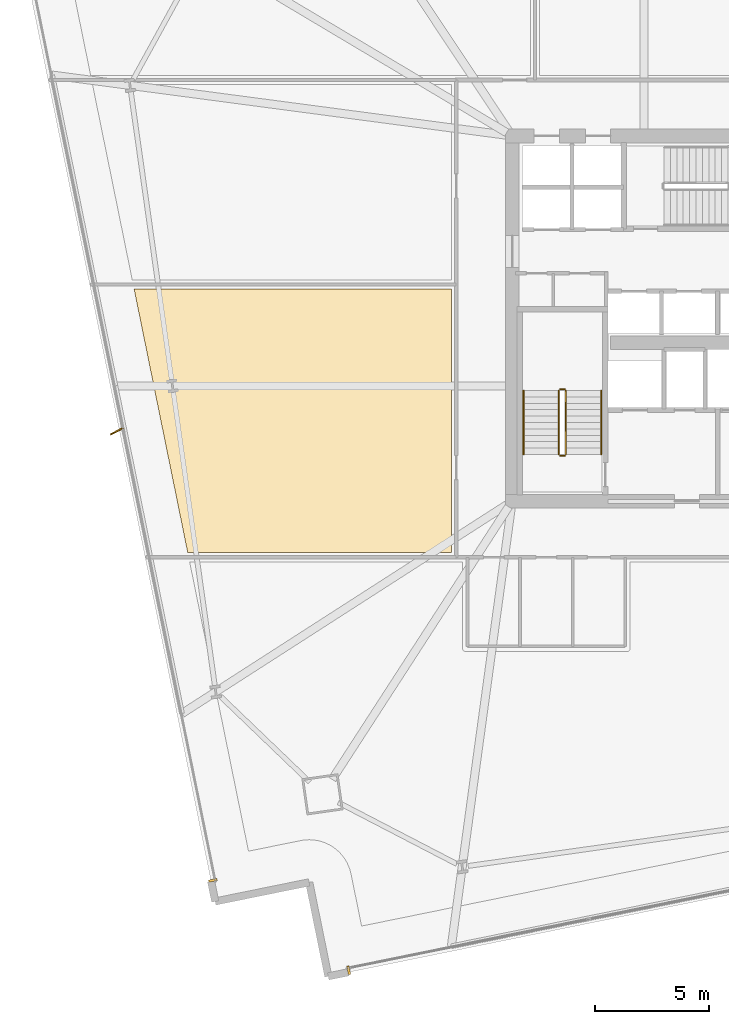
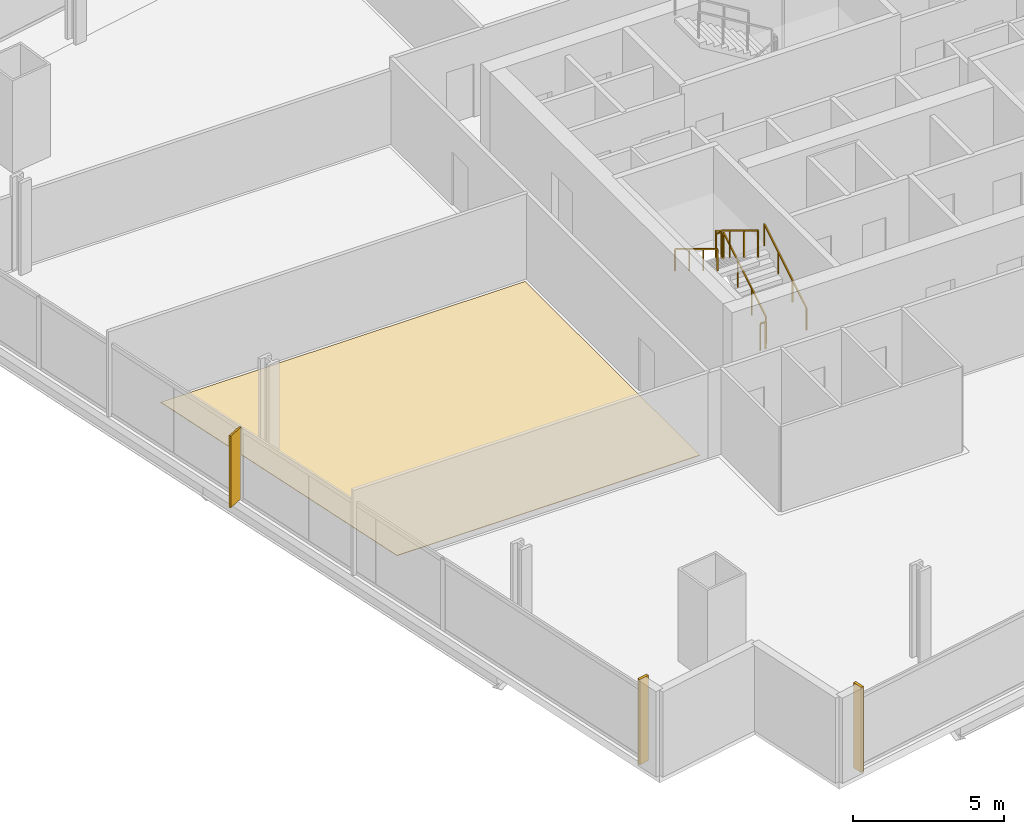
# One storey, part 29 of 33: 6 railings, 3 coverings, 1 shading device.
"""IFC4 building model written with IfcOpenShell, lengths in metres."""

from ifc_helpers import new_model, si_unit, direction, frame, origin, origin_2d, place, context, subcontext, project, spatial, polyline, rectangle, outline, extrude, source, transform, mapped, material, layer, layer_set, type_object, element, save


model = new_model("IFC4")

# Units and contexts
model_context = context("Model", 3, precision=1e-05, world=origin(), true_north=direction((0.0, 1.0)))
body_context = subcontext(model_context, "Body", "Model", "MODEL_VIEW")
ifc_project = project(units=[si_unit("LENGTHUNIT", "METRE"), si_unit("AREAUNIT", "SQUARE_METRE"), si_unit("VOLUMEUNIT", "CUBIC_METRE"), si_unit("PLANEANGLEUNIT", "RADIAN"), si_unit("MASSUNIT", "GRAM", prefix="KILO")], contexts=[model_context])

# Site, building, storey
site_placement = place(None, origin())
site = spatial("IfcSite", under=ifc_project, at=site_placement, CompositionType="ELEMENT")
building_placement = place(site_placement, origin())
building = spatial("IfcBuilding", under=site, at=building_placement, Name="Haldenkirk Collegiate Tower", CompositionType="ELEMENT")
storey_placement = place(building_placement, frame((0.0, 0.0, 66.449951171875)))
storey = spatial("IfcBuildingStorey", under=building, at=storey_placement, Name="L15", CompositionType="ELEMENT", Elevation=66.449951171875)

# Covering
ifc_material_1 = material(Name="Engineered collegiate oak acoustic flooring", Category="wood")
ifc_layer_1 = layer(ifc_material_1, 0.02197265625)
ifc_layer_set_1 = layer_set([ifc_layer_1], Name="Engineered collegiate oak acoustic flooring")
covering_type_1 = type_object("IfcCoveringType", Name="COV-FLOOR-TIMBER", PredefinedType="FLOORING", material=ifc_layer_set_1)
covering_placement = place(storey_placement, origin())
element("IfcCovering", 1, at=covering_placement, inside=storey, type_object=covering_type_1, Name="L15 academic room finish 05", PredefinedType="FLOORING", context=body_context, shape_type="SweptSolid", body=[
    extrude(outline(polyline([(10.447998046875, 27.300048828125), (24.35009765625, 27.300048828125), (24.35009765625, 15.75), (12.797607421875, 15.75), (10.447998046875, 27.300048828125)])), origin(), (0.0, 0.0, 1.0), 0.02197265625),
])

# Railings
ifc_material_2 = material(Name="Painted architectural tubular steel", Category="steel")
railing_type_1 = type_object("IfcRailingType", Name="RLG-STAIR-GUARD-1100", PredefinedType="BALUSTRADE", material=ifc_material_2)
railing_1_placement = place(storey_placement, frame((29.35009765625, 20.050048828125, 0.17041015625)))
element("IfcRailing", 2, at=railing_1_placement, inside=storey, type_object=railing_type_1, Name="L15 ST-1 stair guard 1", PredefinedType="BALUSTRADE", context=body_context, shape_type="SweptSolid", body=[
    extrude(rectangle(XDim=0.048095703125, YDim=0.048095703125, at=origin_2d()), frame((0.0, 0.0, 1.076171875), z_axis=(0.0, 0.854169791009, 0.51999420009), x_axis=(-1.0, 0.0, 0.0)), (0.0, 0.0, 1.0), 3.278076171875),
    extrude(rectangle(XDim=0.0419921875, YDim=0.0419921875, at=origin_2d()), origin(), (0.0, 0.0, 1.0), 1.052001953125),
    extrude(rectangle(XDim=0.0419921875, YDim=0.0419921875, at=origin_2d()), frame((0.0, 0.933349609375, 0.568115234375)), (0.0, 0.0, 1.0), 1.052001953125),
    extrude(rectangle(XDim=0.0419921875, YDim=0.0419921875, at=origin_2d()), frame((0.0, 1.86669921875, 1.136474609375)), (0.0, 0.0, 1.0), 1.052001953125),
    extrude(rectangle(XDim=0.0419921875, YDim=0.0419921875, at=origin_2d()), frame((0.0, 2.800048828125, 1.70458984375)), (0.0, 0.0, 1.0), 1.052001953125),
])
railing_2_placement = place(storey_placement, frame((29.300048828125, 22.89990234375, 1.875)))
element("IfcRailing", 3, at=railing_2_placement, inside=storey, type_object=railing_type_1, Name="L15 ST-1 stair guard 2", PredefinedType="BALUSTRADE", context=body_context, shape_type="SweptSolid", body=[
    extrude(rectangle(XDim=0.048095703125, YDim=0.048095703125, at=origin_2d()), frame((0.0, 0.0, 1.076171875), z_axis=(-1.0, 0.0, 0.0), x_axis=(0.0, -1.0, 0.0)), (0.0, 0.0, 1.0), 0.199951171875),
    extrude(rectangle(XDim=0.0419921875, YDim=0.0419921875, at=origin_2d()), origin(), (0.0, 0.0, 1.0), 1.052001953125),
    extrude(rectangle(XDim=0.0419921875, YDim=0.0419921875, at=origin_2d()), frame((-0.199951171875, 0.0, 0.0)), (0.0, 0.0, 1.0), 1.052001953125),
])
railing_3_placement = place(storey_placement, frame((29.050048828125, 22.85009765625, 2.04541015625)))
element("IfcRailing", 4, at=railing_3_placement, inside=storey, type_object=railing_type_1, Name="L15 ST-1 stair guard 3", PredefinedType="BALUSTRADE", context=body_context, shape_type="SweptSolid", body=[
    extrude(rectangle(XDim=0.048095703125, YDim=0.048095703125, at=origin_2d()), frame((0.0, 0.0, 1.076171875), z_axis=(0.0, -0.854169791009, 0.51999420009), x_axis=(1.0, 0.0, 0.0)), (0.0, 0.0, 1.0), 3.278076171875),
    extrude(rectangle(XDim=0.0419921875, YDim=0.0419921875, at=origin_2d()), origin(), (0.0, 0.0, 1.0), 1.052001953125),
    extrude(rectangle(XDim=0.0419921875, YDim=0.0419921875, at=origin_2d()), frame((0.0, -0.933349609375, 0.568115234375)), (0.0, 0.0, 1.0), 1.052001953125),
    extrude(rectangle(XDim=0.0419921875, YDim=0.0419921875, at=origin_2d()), frame((0.0, -1.86669921875, 1.136474609375)), (0.0, 0.0, 1.0), 1.052001953125),
    extrude(rectangle(XDim=0.0419921875, YDim=0.0419921875, at=origin_2d()), frame((0.0, -2.800048828125, 1.70458984375)), (0.0, 0.0, 1.0), 1.052001953125),
])
railing_4_placement = place(storey_placement, frame((29.300048828125, 20.0, 0.0)))
element("IfcRailing", 5, at=railing_4_placement, inside=storey, type_object=railing_type_1, Name="L15 ST-1 stair guard 4", PredefinedType="BALUSTRADE", context=body_context, shape_type="SweptSolid", body=[
    extrude(rectangle(XDim=0.048095703125, YDim=0.048095703125, at=origin_2d()), frame((0.0, 0.0, 1.076171875), z_axis=(-1.0, 0.0, 0.0), x_axis=(0.0, -1.0, 0.0)), (0.0, 0.0, 1.0), 0.199951171875),
    extrude(rectangle(XDim=0.0419921875, YDim=0.0419921875, at=origin_2d()), origin(), (0.0, 0.0, 1.0), 1.052001953125),
    extrude(rectangle(XDim=0.0419921875, YDim=0.0419921875, at=origin_2d()), frame((-0.199951171875, 0.0, 0.0)), (0.0, 0.0, 1.0), 1.052001953125),
])
railing_type_2 = type_object("IfcRailingType", Name="RLG-STAIR-HANDRAIL-900", PredefinedType="HANDRAIL", material=ifc_material_2)
railing_5_placement = place(storey_placement, frame((30.89990234375, 20.050048828125, 0.17041015625)))
element("IfcRailing", 6, at=railing_5_placement, inside=storey, type_object=railing_type_2, Name="L15 ST-1 stair handrail 1", PredefinedType="HANDRAIL", context=body_context, shape_type="SweptSolid", body=[
    extrude(rectangle(XDim=0.048095703125, YDim=0.048095703125, at=origin_2d()), frame((0.0, 0.0, 0.8759765625), z_axis=(0.0, 0.854169791009, 0.51999420009), x_axis=(-1.0, 0.0, 0.0)), (0.0, 0.0, 1.0), 3.278076171875),
    extrude(rectangle(XDim=0.0419921875, YDim=0.0419921875, at=origin_2d()), origin(), (0.0, 0.0, 1.0), 0.851806640625),
    extrude(rectangle(XDim=0.0419921875, YDim=0.0419921875, at=origin_2d()), frame((0.0, 0.933349609375, 0.568115234375)), (0.0, 0.0, 1.0), 0.851806640625),
    extrude(rectangle(XDim=0.0419921875, YDim=0.0419921875, at=origin_2d()), frame((0.0, 1.86669921875, 1.136474609375)), (0.0, 0.0, 1.0), 0.851806640625),
    extrude(rectangle(XDim=0.0419921875, YDim=0.0419921875, at=origin_2d()), frame((0.0, 2.800048828125, 1.70458984375)), (0.0, 0.0, 1.0), 0.851806640625),
])
railing_6_placement = place(storey_placement, frame((27.5, 22.85009765625, 2.04541015625)))
element("IfcRailing", 7, at=railing_6_placement, inside=storey, type_object=railing_type_2, Name="L15 ST-1 stair handrail 2", PredefinedType="HANDRAIL", context=body_context, shape_type="SweptSolid", body=[
    extrude(rectangle(XDim=0.048095703125, YDim=0.048095703125, at=origin_2d()), frame((0.0, 0.0, 0.8759765625), z_axis=(0.0, -0.854169791009, 0.51999420009), x_axis=(1.0, 0.0, 0.0)), (0.0, 0.0, 1.0), 3.278076171875),
    extrude(rectangle(XDim=0.0419921875, YDim=0.0419921875, at=origin_2d()), origin(), (0.0, 0.0, 1.0), 0.851806640625),
    extrude(rectangle(XDim=0.0419921875, YDim=0.0419921875, at=origin_2d()), frame((0.0, -0.933349609375, 0.568115234375)), (0.0, 0.0, 1.0), 0.851806640625),
    extrude(rectangle(XDim=0.0419921875, YDim=0.0419921875, at=origin_2d()), frame((0.0, -1.86669921875, 1.136474609375)), (0.0, 0.0, 1.0), 0.851806640625),
    extrude(rectangle(XDim=0.0419921875, YDim=0.0419921875, at=origin_2d()), frame((0.0, -2.800048828125, 1.70458984375)), (0.0, 0.0, 1.0), 0.851806640625),
])

# Coverings
ifc_material_3 = material(Name="Anodised architectural bronze aluminium", Category="aluminium")
ifc_layer_2 = layer(ifc_material_3, 0.06005859375)
ifc_layer_set_2 = layer_set([ifc_layer_2], Name="Anodised architectural bronze aluminium")
covering_type_2 = type_object("IfcCoveringType", Name="COV-CLAD-BRONZE-60", PredefinedType="CLADDING", material=ifc_layer_set_2)
shared_shape_1 = source(origin(), body_context, "Body", "SweptSolid", [
    extrude(rectangle(XDim=0.10009765625, YDim=0.3798828125, at=origin_2d()), origin(), (0.0, 0.0, 1.0), 3.43994140625),
])
for number, where, z_axis, x_axis, name in (
    (8, (19.843505859375, -2.52880859375, 0.0), (0.0, 0.0, 1.0), (-0.979924704621, -0.199367934417, 0.0), "L15 recessed curtain-wall bronze jamb closure SJR"),
    (9, (13.89990234375, 1.405029296875, 0.0), (0.0, 0.0, 1.0), (-0.199367934417, 0.979924704621, 0.0), "L15 recessed curtain-wall bronze jamb closure WJL"),
):
    element("IfcCovering", number, at=place(storey_placement, frame(where, z_axis=z_axis, x_axis=x_axis)), inside=storey, type_object=covering_type_2, Name=name, PredefinedType="CLADDING", context=body_context, shape_type="MappedRepresentation", body=[
        mapped(shared_shape_1, transform((0.0, 0.0, 0.0), x_axis=(1.0, 0.0, 0.0), y_axis=(0.0, 1.0, 0.0), z_axis=(0.0, 0.0, 1.0), scale=1.0)),
    ])

# Shading device
ifc_layer_3 = layer(ifc_material_3, 0.06494140625)
ifc_layer_set_3 = layer_set([ifc_layer_3], Name="Anodised architectural bronze aluminium")
shading_device_type = type_object("IfcShadingDeviceType", Name="SHD-FIN-BRONZE-620", PredefinedType="USERDEFINED", material=ifc_layer_set_3)
shared_shape_2 = source(origin(), body_context, "Body", "SweptSolid", [
    extrude(rectangle(XDim=0.6201171875, YDim=0.06494140625, at=origin_2d()), origin(), (0.0, 0.0, 1.0), 2.89111328125),
])
shading_device_placement = place(storey_placement, frame((9.690185546875, 21.068115234375, 0.0), z_axis=(0.0, 0.0, 1.0), x_axis=(-0.887010833178, -0.461748613235, 0.0)))
element("IfcShadingDevice", 10, at=shading_device_placement, inside=storey, type_object=shading_device_type, Name="L15 folded bronze solar fin 1", ObjectType="FIN", PredefinedType="USERDEFINED", context=body_context, shape_type="MappedRepresentation", body=[
    mapped(shared_shape_2, transform((0.0, 0.0, 0.0), x_axis=(1.0, 0.0, 0.0), y_axis=(0.0, 1.0, 0.0), z_axis=(0.0, 0.0, 1.0), scale=1.0)),
])

save(model, "model.ifc")
